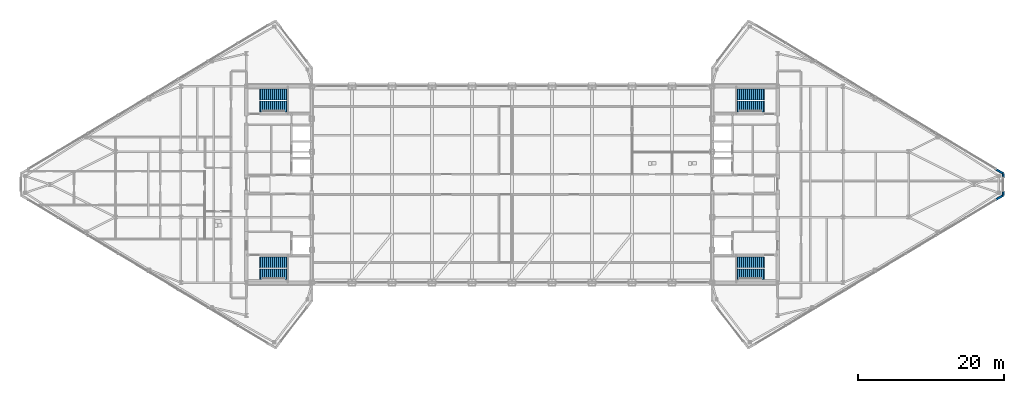
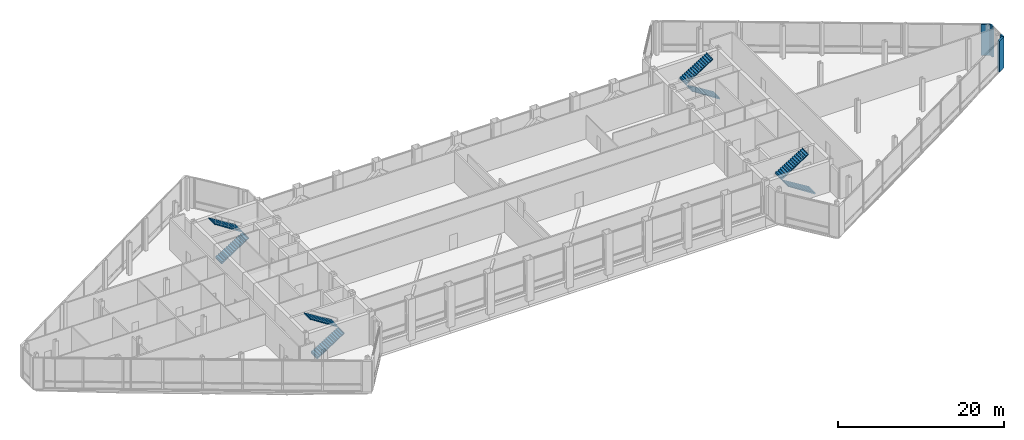
# One storey, part 27 of 29: 8 stair flights, 4 walls, 4 elements without a shape of their own.
"""IFC4 building model written with IfcOpenShell, lengths in metres."""

from ifc_helpers import new_model, si_unit, direction, frame, frame_2d, origin, place, context, subcontext, project, spatial, polyline, rectangle, outline, extrude, material, layer, layer_set, type_object, element, aggregate, save


model = new_model("IFC4")

# Units and contexts
model_context = context("Model", 3, precision=1e-05, world=origin(), true_north=direction((0.0, 1.0)))
body_context = subcontext(model_context, "Body", "Model", "MODEL_VIEW")
ifc_project = project(units=[si_unit("LENGTHUNIT", "METRE"), si_unit("AREAUNIT", "SQUARE_METRE"), si_unit("VOLUMEUNIT", "CUBIC_METRE"), si_unit("PLANEANGLEUNIT", "RADIAN"), si_unit("MASSUNIT", "GRAM", prefix="KILO")], contexts=[model_context])

# Site, building, storey
site_placement = place(None, origin())
site = spatial("IfcSite", under=ifc_project, at=site_placement, CompositionType="ELEMENT")
building_placement = place(site_placement, origin())
building = spatial("IfcBuilding", under=site, at=building_placement, Name="Seokmaru Belvedere", CompositionType="ELEMENT")
storey_placement = place(building_placement, frame((0.0, 0.0, 229.800048828125)))
storey = spatial("IfcBuildingStorey", under=building, at=storey_placement, Name="L61", CompositionType="ELEMENT", Elevation=229.800048828125)

# Walls
ifc_material_1 = material(Name="Anodised Bronze Aluminium", Category="aluminium")
ifc_layer = layer(ifc_material_1, 0.239990234375)
ifc_layer_set = layer_set([ifc_layer], Name="Anodised Bronze Aluminium")
wall_type = type_object("IfcWallType", Name="Tower Corner Spandrel Closure Wall 240", PredefinedType="SOLIDWALL", material=ifc_layer_set)
wall_1_placement = place(storey_placement, frame((66.513916015625, -2.091796875, 0.0), z_axis=(0.0, 0.0, 1.0), x_axis=(0.85743623509, 0.514590228002, 0.0)))
element("IfcWall", 1, at=wall_1_placement, inside=storey, type_object=wall_type, Name="L61 E Corner Closure Pier 1B", PredefinedType="SOLIDWALL", context=body_context, shape_type="SweptSolid", body=[
    extrude(rectangle(XDim=1.14013671875, YDim=0.239990234375, at=frame_2d((0.570068359375, 0.0))), origin(), (0.0, 0.0, 1.0), 4.5400390625),
])
for number, where, z_axis, x_axis, name in (
    (2, (67.5, -1.489990234375, 0.0), (0.0, 0.0, 1.0), (0.0, 1.0, 0.0), "L61 E Apex Closure Pier 2A"),
    (3, (67.5, 0.949951171875, 0.0), (0.0, 0.0, 1.0), (0.0, 1.0, 0.0), "L61 E Apex Closure Pier 2B"),
):
    element("IfcWall", number, at=place(storey_placement, frame(where, z_axis=z_axis, x_axis=x_axis)), inside=storey, type_object=wall_type, Name=name, PredefinedType="SOLIDWALL", context=body_context, shape_type="SweptSolid", body=[
        extrude(rectangle(XDim=0.5400390625, YDim=0.239990234375, at=frame_2d((0.27001953125, 0.0))), origin(), (0.0, 0.0, 1.0), 4.5400390625),
    ])
wall_2_placement = place(storey_placement, frame((67.491455078125, 1.505126953125, 0.0), z_axis=(0.0, 0.0, 1.0), x_axis=(-0.85743623509, 0.514590228002, 0.0)))
element("IfcWall", 4, at=wall_2_placement, inside=storey, type_object=wall_type, Name="L61 E Corner Closure Pier 3A", PredefinedType="SOLIDWALL", context=body_context, shape_type="SweptSolid", body=[
    extrude(rectangle(XDim=1.14013671875, YDim=0.239990234375, at=frame_2d((0.570068359375, 0.0))), origin(), (0.0, 0.0, 1.0), 4.5400390625),
])

# Stair, stair flights
ifc_material_2 = material(Name="Concrete C40 (40 MPa)", Category="concrete")
stair_type = type_object("IfcStairType", Name="Basement Core Dog-Leg Stair 4800", PredefinedType="TWO_STRAIGHT_RUN_STAIR", material=ifc_material_2)
stair_1_placement = place(storey_placement, origin())
stair_1 = element("IfcStair", 5, at=stair_1_placement, inside=storey, type_object=stair_type, Name="L61 Special Escape Stair ST-W1", PredefinedType="TWO_STRAIGHT_RUN_STAIR")
stair_flight_type = type_object("IfcStairFlightType", Name="Reinforced Concrete Stair Flight 1500", PredefinedType="STRAIGHT", material=ifc_material_2)
stair_flight_1_placement = place(storey_placement, frame((-34.60009765625, -12.35009765625, 0.0), z_axis=(0.0, 0.0, 1.0), x_axis=(1.0, 0.0, 0.0)))
stair_flight_1 = element("IfcStairFlight", 6, at=stair_flight_1_placement, type_object=stair_flight_type, Name="ST-W1 flight 1", NumberOfRisers=14, NumberOfTreads=13, PredefinedType="STRAIGHT", RiserHeight=0.171428571, TreadLength=0.28, context=body_context, shape_type="SweptSolid", body=[
    extrude(outline(polyline([(-0.080078125, 0.0), (0.0, 0.17138671875), (0.280029296875, 0.17138671875), (0.280029296875, 0.3427734375), (0.56005859375, 0.3427734375), (0.56005859375, 0.514404296875), (0.840087890625, 0.514404296875), (0.840087890625, 0.685791015625), (1.1201171875, 0.685791015625), (1.1201171875, 0.857177734375), (1.39990234375, 0.857177734375), (1.39990234375, 1.028564453125), (1.679931640625, 1.028564453125), (1.679931640625, 1.199951171875), (1.9599609375, 1.199951171875), (1.9599609375, 1.371337890625), (2.239990234375, 1.371337890625), (2.239990234375, 1.54296875), (2.52001953125, 1.54296875), (2.52001953125, 1.71435546875), (2.800048828125, 1.71435546875), (2.800048828125, 1.8857421875), (3.080078125, 1.8857421875), (3.080078125, 2.05712890625), (3.360107421875, 2.05712890625), (3.360107421875, 2.228515625), (3.639892578125, 2.228515625), (3.639892578125, 2.39990234375), (3.719970703125, 2.39990234375), (3.719970703125, 2.2099609375), (3.639892578125, 2.2099609375), (0.0, -0.159912109375), (-0.080078125, -0.159912109375), (-0.080078125, 0.0)])), frame((0.0, 0.75, 0.0), z_axis=(0.0, -1.0, 0.0), x_axis=(1.0, 0.0, 0.0)), (0.0, 0.0, 1.0), 1.5),
])
stair_flight_2_placement = place(storey_placement, frame((-30.9599609375, -10.7099609375, 2.39990234375), z_axis=(0.0, 0.0, 1.0), x_axis=(-1.0, 0.0, 0.0)))
stair_flight_2 = element("IfcStairFlight", 7, at=stair_flight_2_placement, type_object=stair_flight_type, Name="ST-W1 flight 2", NumberOfRisers=14, NumberOfTreads=13, PredefinedType="STRAIGHT", RiserHeight=0.171428571, TreadLength=0.28, context=body_context, shape_type="SweptSolid", body=[
    extrude(outline(polyline([(-0.080078125, 0.0), (0.0, 0.17138671875), (0.280029296875, 0.17138671875), (0.280029296875, 0.3427734375), (0.56005859375, 0.3427734375), (0.56005859375, 0.514404296875), (0.840087890625, 0.514404296875), (0.840087890625, 0.685791015625), (1.1201171875, 0.685791015625), (1.1201171875, 0.857177734375), (1.39990234375, 0.857177734375), (1.39990234375, 1.028564453125), (1.679931640625, 1.028564453125), (1.679931640625, 1.199951171875), (1.9599609375, 1.199951171875), (1.9599609375, 1.371337890625), (2.239990234375, 1.371337890625), (2.239990234375, 1.54296875), (2.52001953125, 1.54296875), (2.52001953125, 1.71435546875), (2.800048828125, 1.71435546875), (2.800048828125, 1.8857421875), (3.080078125, 1.8857421875), (3.080078125, 2.05712890625), (3.360107421875, 2.05712890625), (3.360107421875, 2.228515625), (3.639892578125, 2.228515625), (3.639892578125, 2.39990234375), (3.719970703125, 2.39990234375), (3.719970703125, 2.2099609375), (3.639892578125, 2.2099609375), (0.0, -0.159912109375), (-0.080078125, -0.159912109375), (-0.080078125, 0.0)])), frame((0.0, 0.75, 0.0), z_axis=(0.0, -1.0, 0.0), x_axis=(1.0, 0.0, 0.0)), (0.0, 0.0, 1.0), 1.5),
])
aggregate(stair_1, [stair_flight_1, stair_flight_2])

stair_2_placement = place(storey_placement, origin())
stair_2 = element("IfcStair", 8, at=stair_2_placement, inside=storey, type_object=stair_type, Name="L61 Special Escape Stair ST-W2", PredefinedType="TWO_STRAIGHT_RUN_STAIR")
stair_flight_3_placement = place(storey_placement, frame((-34.60009765625, 10.7099609375, 0.0), z_axis=(0.0, 0.0, 1.0), x_axis=(1.0, 0.0, 0.0)))
stair_flight_3 = element("IfcStairFlight", 9, at=stair_flight_3_placement, type_object=stair_flight_type, Name="ST-W2 flight 1", NumberOfRisers=14, NumberOfTreads=13, PredefinedType="STRAIGHT", RiserHeight=0.171428571, TreadLength=0.28, context=body_context, shape_type="SweptSolid", body=[
    extrude(outline(polyline([(-0.080078125, 0.0), (0.0, 0.17138671875), (0.280029296875, 0.17138671875), (0.280029296875, 0.3427734375), (0.56005859375, 0.3427734375), (0.56005859375, 0.514404296875), (0.840087890625, 0.514404296875), (0.840087890625, 0.685791015625), (1.1201171875, 0.685791015625), (1.1201171875, 0.857177734375), (1.39990234375, 0.857177734375), (1.39990234375, 1.028564453125), (1.679931640625, 1.028564453125), (1.679931640625, 1.199951171875), (1.9599609375, 1.199951171875), (1.9599609375, 1.371337890625), (2.239990234375, 1.371337890625), (2.239990234375, 1.54296875), (2.52001953125, 1.54296875), (2.52001953125, 1.71435546875), (2.800048828125, 1.71435546875), (2.800048828125, 1.8857421875), (3.080078125, 1.8857421875), (3.080078125, 2.05712890625), (3.360107421875, 2.05712890625), (3.360107421875, 2.228515625), (3.639892578125, 2.228515625), (3.639892578125, 2.39990234375), (3.719970703125, 2.39990234375), (3.719970703125, 2.2099609375), (3.639892578125, 2.2099609375), (0.0, -0.159912109375), (-0.080078125, -0.159912109375), (-0.080078125, 0.0)])), frame((0.0, 0.75, 0.0), z_axis=(0.0, -1.0, 0.0), x_axis=(1.0, 0.0, 0.0)), (0.0, 0.0, 1.0), 1.5),
])
stair_flight_4_placement = place(storey_placement, frame((-30.9599609375, 12.35009765625, 2.39990234375), z_axis=(0.0, 0.0, 1.0), x_axis=(-1.0, 0.0, 0.0)))
stair_flight_4 = element("IfcStairFlight", 10, at=stair_flight_4_placement, type_object=stair_flight_type, Name="ST-W2 flight 2", NumberOfRisers=14, NumberOfTreads=13, PredefinedType="STRAIGHT", RiserHeight=0.171428571, TreadLength=0.28, context=body_context, shape_type="SweptSolid", body=[
    extrude(outline(polyline([(-0.080078125, 0.0), (0.0, 0.17138671875), (0.280029296875, 0.17138671875), (0.280029296875, 0.3427734375), (0.56005859375, 0.3427734375), (0.56005859375, 0.514404296875), (0.840087890625, 0.514404296875), (0.840087890625, 0.685791015625), (1.1201171875, 0.685791015625), (1.1201171875, 0.857177734375), (1.39990234375, 0.857177734375), (1.39990234375, 1.028564453125), (1.679931640625, 1.028564453125), (1.679931640625, 1.199951171875), (1.9599609375, 1.199951171875), (1.9599609375, 1.371337890625), (2.239990234375, 1.371337890625), (2.239990234375, 1.54296875), (2.52001953125, 1.54296875), (2.52001953125, 1.71435546875), (2.800048828125, 1.71435546875), (2.800048828125, 1.8857421875), (3.080078125, 1.8857421875), (3.080078125, 2.05712890625), (3.360107421875, 2.05712890625), (3.360107421875, 2.228515625), (3.639892578125, 2.228515625), (3.639892578125, 2.39990234375), (3.719970703125, 2.39990234375), (3.719970703125, 2.2099609375), (3.639892578125, 2.2099609375), (0.0, -0.159912109375), (-0.080078125, -0.159912109375), (-0.080078125, 0.0)])), frame((0.0, 0.75, 0.0), z_axis=(0.0, -1.0, 0.0), x_axis=(1.0, 0.0, 0.0)), (0.0, 0.0, 1.0), 1.5),
])
aggregate(stair_2, [stair_flight_3, stair_flight_4])

stair_3_placement = place(storey_placement, origin())
stair_3 = element("IfcStair", 11, at=stair_3_placement, inside=storey, type_object=stair_type, Name="L61 Special Escape Stair ST-E1", PredefinedType="TWO_STRAIGHT_RUN_STAIR")
stair_flight_5_placement = place(storey_placement, frame((34.60009765625, -12.35009765625, 0.0), z_axis=(0.0, 0.0, 1.0), x_axis=(-1.0, 0.0, 0.0)))
stair_flight_5 = element("IfcStairFlight", 12, at=stair_flight_5_placement, type_object=stair_flight_type, Name="ST-E1 flight 1", NumberOfRisers=14, NumberOfTreads=13, PredefinedType="STRAIGHT", RiserHeight=0.171428571, TreadLength=0.28, context=body_context, shape_type="SweptSolid", body=[
    extrude(outline(polyline([(-0.080078125, 0.0), (0.0, 0.17138671875), (0.280029296875, 0.17138671875), (0.280029296875, 0.3427734375), (0.56005859375, 0.3427734375), (0.56005859375, 0.514404296875), (0.840087890625, 0.514404296875), (0.840087890625, 0.685791015625), (1.1201171875, 0.685791015625), (1.1201171875, 0.857177734375), (1.39990234375, 0.857177734375), (1.39990234375, 1.028564453125), (1.679931640625, 1.028564453125), (1.679931640625, 1.199951171875), (1.9599609375, 1.199951171875), (1.9599609375, 1.371337890625), (2.239990234375, 1.371337890625), (2.239990234375, 1.54296875), (2.52001953125, 1.54296875), (2.52001953125, 1.71435546875), (2.800048828125, 1.71435546875), (2.800048828125, 1.8857421875), (3.080078125, 1.8857421875), (3.080078125, 2.05712890625), (3.360107421875, 2.05712890625), (3.360107421875, 2.228515625), (3.639892578125, 2.228515625), (3.639892578125, 2.39990234375), (3.719970703125, 2.39990234375), (3.719970703125, 2.2099609375), (3.639892578125, 2.2099609375), (0.0, -0.159912109375), (-0.080078125, -0.159912109375), (-0.080078125, 0.0)])), frame((0.0, 0.75, 0.0), z_axis=(0.0, -1.0, 0.0), x_axis=(1.0, 0.0, 0.0)), (0.0, 0.0, 1.0), 1.5),
])
stair_flight_6_placement = place(storey_placement, frame((30.9599609375, -10.7099609375, 2.39990234375), z_axis=(0.0, 0.0, 1.0), x_axis=(1.0, 0.0, 0.0)))
stair_flight_6 = element("IfcStairFlight", 13, at=stair_flight_6_placement, type_object=stair_flight_type, Name="ST-E1 flight 2", NumberOfRisers=14, NumberOfTreads=13, PredefinedType="STRAIGHT", RiserHeight=0.171428571, TreadLength=0.28, context=body_context, shape_type="SweptSolid", body=[
    extrude(outline(polyline([(-0.080078125, 0.0), (0.0, 0.17138671875), (0.280029296875, 0.17138671875), (0.280029296875, 0.3427734375), (0.56005859375, 0.3427734375), (0.56005859375, 0.514404296875), (0.840087890625, 0.514404296875), (0.840087890625, 0.685791015625), (1.1201171875, 0.685791015625), (1.1201171875, 0.857177734375), (1.39990234375, 0.857177734375), (1.39990234375, 1.028564453125), (1.679931640625, 1.028564453125), (1.679931640625, 1.199951171875), (1.9599609375, 1.199951171875), (1.9599609375, 1.371337890625), (2.239990234375, 1.371337890625), (2.239990234375, 1.54296875), (2.52001953125, 1.54296875), (2.52001953125, 1.71435546875), (2.800048828125, 1.71435546875), (2.800048828125, 1.8857421875), (3.080078125, 1.8857421875), (3.080078125, 2.05712890625), (3.360107421875, 2.05712890625), (3.360107421875, 2.228515625), (3.639892578125, 2.228515625), (3.639892578125, 2.39990234375), (3.719970703125, 2.39990234375), (3.719970703125, 2.2099609375), (3.639892578125, 2.2099609375), (0.0, -0.159912109375), (-0.080078125, -0.159912109375), (-0.080078125, 0.0)])), frame((0.0, 0.75, 0.0), z_axis=(0.0, -1.0, 0.0), x_axis=(1.0, 0.0, 0.0)), (0.0, 0.0, 1.0), 1.5),
])
aggregate(stair_3, [stair_flight_5, stair_flight_6])

stair_4_placement = place(storey_placement, origin())
stair_4 = element("IfcStair", 14, at=stair_4_placement, inside=storey, type_object=stair_type, Name="L61 Special Escape Stair ST-E2", PredefinedType="TWO_STRAIGHT_RUN_STAIR")
stair_flight_7_placement = place(storey_placement, frame((34.60009765625, 10.7099609375, 0.0), z_axis=(0.0, 0.0, 1.0), x_axis=(-1.0, 0.0, 0.0)))
stair_flight_7 = element("IfcStairFlight", 15, at=stair_flight_7_placement, type_object=stair_flight_type, Name="ST-E2 flight 1", NumberOfRisers=14, NumberOfTreads=13, PredefinedType="STRAIGHT", RiserHeight=0.171428571, TreadLength=0.28, context=body_context, shape_type="SweptSolid", body=[
    extrude(outline(polyline([(-0.080078125, 0.0), (0.0, 0.17138671875), (0.280029296875, 0.17138671875), (0.280029296875, 0.3427734375), (0.56005859375, 0.3427734375), (0.56005859375, 0.514404296875), (0.840087890625, 0.514404296875), (0.840087890625, 0.685791015625), (1.1201171875, 0.685791015625), (1.1201171875, 0.857177734375), (1.39990234375, 0.857177734375), (1.39990234375, 1.028564453125), (1.679931640625, 1.028564453125), (1.679931640625, 1.199951171875), (1.9599609375, 1.199951171875), (1.9599609375, 1.371337890625), (2.239990234375, 1.371337890625), (2.239990234375, 1.54296875), (2.52001953125, 1.54296875), (2.52001953125, 1.71435546875), (2.800048828125, 1.71435546875), (2.800048828125, 1.8857421875), (3.080078125, 1.8857421875), (3.080078125, 2.05712890625), (3.360107421875, 2.05712890625), (3.360107421875, 2.228515625), (3.639892578125, 2.228515625), (3.639892578125, 2.39990234375), (3.719970703125, 2.39990234375), (3.719970703125, 2.2099609375), (3.639892578125, 2.2099609375), (0.0, -0.159912109375), (-0.080078125, -0.159912109375), (-0.080078125, 0.0)])), frame((0.0, 0.75, 0.0), z_axis=(0.0, -1.0, 0.0), x_axis=(1.0, 0.0, 0.0)), (0.0, 0.0, 1.0), 1.5),
])
stair_flight_8_placement = place(storey_placement, frame((30.9599609375, 12.35009765625, 2.39990234375), z_axis=(0.0, 0.0, 1.0), x_axis=(1.0, 0.0, 0.0)))
stair_flight_8 = element("IfcStairFlight", 16, at=stair_flight_8_placement, type_object=stair_flight_type, Name="ST-E2 flight 2", NumberOfRisers=14, NumberOfTreads=13, PredefinedType="STRAIGHT", RiserHeight=0.171428571, TreadLength=0.28, context=body_context, shape_type="SweptSolid", body=[
    extrude(outline(polyline([(-0.080078125, 0.0), (0.0, 0.17138671875), (0.280029296875, 0.17138671875), (0.280029296875, 0.3427734375), (0.56005859375, 0.3427734375), (0.56005859375, 0.514404296875), (0.840087890625, 0.514404296875), (0.840087890625, 0.685791015625), (1.1201171875, 0.685791015625), (1.1201171875, 0.857177734375), (1.39990234375, 0.857177734375), (1.39990234375, 1.028564453125), (1.679931640625, 1.028564453125), (1.679931640625, 1.199951171875), (1.9599609375, 1.199951171875), (1.9599609375, 1.371337890625), (2.239990234375, 1.371337890625), (2.239990234375, 1.54296875), (2.52001953125, 1.54296875), (2.52001953125, 1.71435546875), (2.800048828125, 1.71435546875), (2.800048828125, 1.8857421875), (3.080078125, 1.8857421875), (3.080078125, 2.05712890625), (3.360107421875, 2.05712890625), (3.360107421875, 2.228515625), (3.639892578125, 2.228515625), (3.639892578125, 2.39990234375), (3.719970703125, 2.39990234375), (3.719970703125, 2.2099609375), (3.639892578125, 2.2099609375), (0.0, -0.159912109375), (-0.080078125, -0.159912109375), (-0.080078125, 0.0)])), frame((0.0, 0.75, 0.0), z_axis=(0.0, -1.0, 0.0), x_axis=(1.0, 0.0, 0.0)), (0.0, 0.0, 1.0), 1.5),
])
aggregate(stair_4, [stair_flight_7, stair_flight_8])

save(model, "model.ifc")
